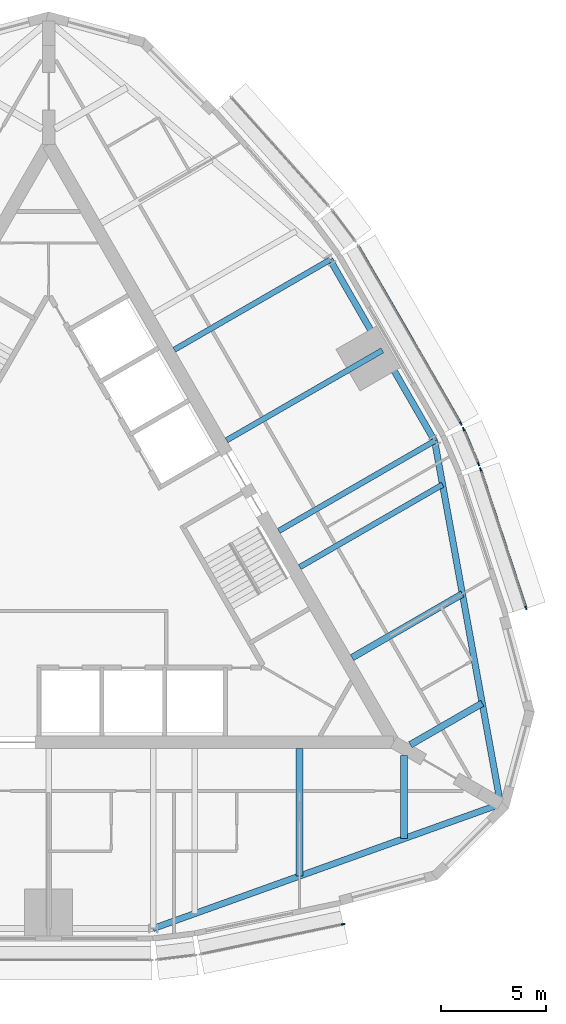
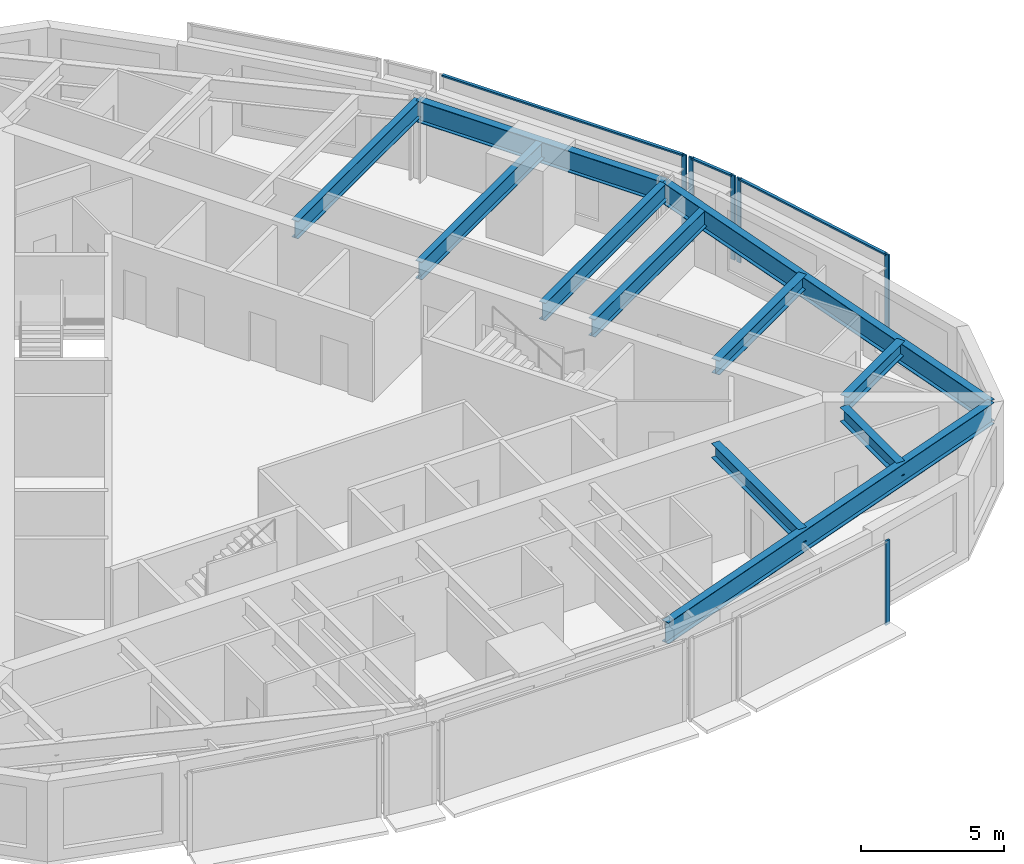
# One storey, part 4 of 12: 11 beams, 9 members, 4 elements without a shape of their own.
"""IFC4 building model written with IfcOpenShell, lengths in metres."""

from ifc_helpers import new_model, si_unit, direction, frame, origin, origin_2d, place, context, subcontext, project, spatial, rectangle, i_section, extrude, material, material_profile, profile_set, type_object, element, aggregate, save


model = new_model("IFC4")

# Units and contexts
model_context = context("Model", 3, precision=1e-05, world=origin(), true_north=direction((0.0, 1.0)))
body_context = subcontext(model_context, "Body", "Model", "MODEL_VIEW")
ifc_project = project(units=[si_unit("LENGTHUNIT", "METRE"), si_unit("AREAUNIT", "SQUARE_METRE"), si_unit("VOLUMEUNIT", "CUBIC_METRE"), si_unit("PLANEANGLEUNIT", "RADIAN"), si_unit("MASSUNIT", "GRAM", prefix="KILO")], contexts=[model_context])

# Site, building, storey
site_placement = place(None, origin())
site = spatial("IfcSite", under=ifc_project, at=site_placement, CompositionType="ELEMENT")
building_placement = place(site_placement, origin())
building = spatial("IfcBuilding", under=site, at=building_placement, Name="Trikona Tower", CompositionType="ELEMENT")
storey_placement = place(building_placement, frame((0.0, 0.0, 268.10009765625)))
storey = spatial("IfcBuildingStorey", under=building, at=storey_placement, Name="L71", CompositionType="ELEMENT", Elevation=268.10009765625)

# Curtain wall, member
ifc_material_1 = material(Name="Aluminium curtain wall system", Category="aluminium")
curtain_wall_type = type_object("IfcCurtainWallType", Name="Curtain wall DS3", PredefinedType="NOTDEFINED", material=ifc_material_1)
curtain_wall_1_placement = place(storey_placement, origin())
curtain_wall_1 = element("IfcCurtainWall", 1, at=curtain_wall_1_placement, inside=storey, type_object=curtain_wall_type, Name="Curtain wall DS3 L71", PredefinedType="NOTDEFINED")
ifc_material_2 = material(Name="Aluminium mullion, pale anodised", Category="aluminium")
ifc_material_profile_1 = material_profile(ifc_material_2, rectangle(XDim=0.070068359375, YDim=0.179931640625, at=origin_2d()), Name="MUL-DS3")
ifc_profile_set_1 = profile_set([ifc_material_profile_1], Name="Aluminium mullion, pale anodised")
member_type_1 = type_object("IfcMemberType", Name="Mullion DS3 70x180", PredefinedType="MULLION", material=ifc_profile_set_1)
member_1_placement = place(storey_placement, frame((14.092041015625, -18.220703125, 0.0), z_axis=(0.0, 0.0, 1.0), x_axis=(-0.205527448396, 0.978651351583, 0.0)))
member_1 = element("IfcMember", 2, at=member_1_placement, type_object=member_type_1, Name="CW-DS3 mullion 2", PredefinedType="MULLION", context=body_context, shape_type="SweptSolid", body=[
    extrude(rectangle(XDim=0.070068359375, YDim=0.179931640625, at=origin_2d()), origin(), (0.0, 0.0, 1.0), 3.599853515625),
])
aggregate(curtain_wall_1, [member_1])

# Curtain wall, members
curtain_wall_2_placement = place(storey_placement, origin())
curtain_wall_2 = element("IfcCurtainWall", 3, at=curtain_wall_2_placement, inside=storey, type_object=curtain_wall_type, Name="Curtain wall DS3 L71", PredefinedType="NOTDEFINED")
member_2_placement = place(storey_placement, frame((22.82568359375, -3.09375, 0.0), z_axis=(0.0, 0.0, 1.0), x_axis=(-0.95029742275, -0.311343553515, 0.0)))
member_2 = element("IfcMember", 4, at=member_2_placement, type_object=member_type_1, Name="CW-DS3 mullion 1", PredefinedType="MULLION", context=body_context, shape_type="SweptSolid", body=[
    extrude(rectangle(XDim=0.070068359375, YDim=0.179931640625, at=origin_2d()), origin(), (0.0, 0.0, 1.0), 3.599853515625),
])
member_3_placement = place(storey_placement, frame((20.657958984375, 3.52294921875, 0.0), z_axis=(0.0, 0.0, 1.0), x_axis=(-0.95029742275, -0.311343553515, 0.0)))
member_3 = element("IfcMember", 5, at=member_3_placement, type_object=member_type_1, Name="CW-DS3 mullion 2", PredefinedType="MULLION", context=body_context, shape_type="SweptSolid", body=[
    extrude(rectangle(XDim=0.070068359375, YDim=0.179931640625, at=origin_2d()), origin(), (0.0, 0.0, 1.0), 3.599853515625),
])

curtain_wall_3_placement = place(storey_placement, origin())
curtain_wall_3 = element("IfcCurtainWall", 6, at=curtain_wall_3_placement, inside=storey, type_object=curtain_wall_type, Name="Curtain wall DS3 L71", PredefinedType="NOTDEFINED")
member_4_placement = place(storey_placement, frame((20.563232421875, 3.7744140625, 0.0), z_axis=(0.0, 0.0, 1.0), x_axis=(-0.919420580163, -0.393275726143, 0.0)))
member_4 = element("IfcMember", 7, at=member_4_placement, type_object=member_type_1, Name="CW-DS3 mullion 1", PredefinedType="MULLION", context=body_context, shape_type="SweptSolid", body=[
    extrude(rectangle(XDim=0.070068359375, YDim=0.179931640625, at=origin_2d()), origin(), (0.0, 0.0, 1.0), 3.599853515625),
])
member_5_placement = place(storey_placement, frame((19.845703125, 5.45166015625, 0.0), z_axis=(0.0, 0.0, 1.0), x_axis=(-0.919420580163, -0.393275726143, 0.0)))
member_5 = element("IfcMember", 8, at=member_5_placement, type_object=member_type_1, Name="CW-DS3 mullion 2", PredefinedType="MULLION", context=body_context, shape_type="SweptSolid", body=[
    extrude(rectangle(XDim=0.070068359375, YDim=0.179931640625, at=origin_2d()), origin(), (0.0, 0.0, 1.0), 3.599853515625),
])

# Curtain wall, member
curtain_wall_4_placement = place(storey_placement, origin())
curtain_wall_4 = element("IfcCurtainWall", 9, at=curtain_wall_4_placement, inside=storey, type_object=curtain_wall_type, Name="Curtain wall DS3 L71", PredefinedType="NOTDEFINED")
member_6_placement = place(storey_placement, frame((19.712890625, 5.717529296875, 0.0), z_axis=(0.0, 0.0, 1.0), x_axis=(-0.866024619633, -0.500001358187, 0.0)))
member_6 = element("IfcMember", 10, at=member_6_placement, type_object=member_type_1, Name="CW-DS3 mullion 1", PredefinedType="MULLION", context=body_context, shape_type="SweptSolid", body=[
    extrude(rectangle(XDim=0.070068359375, YDim=0.179931640625, at=origin_2d()), origin(), (0.0, 0.0, 1.0), 3.599853515625),
])

# Beams
ifc_material_3 = material(Name="Steel ASTM A992 Grade 50", Category="steel")
ifc_material_profile_2 = material_profile(ifc_material_3, i_section(OverallWidth=0.3251953125, OverallDepth=0.612060546875, WebThickness=0.0126953125, FlangeThickness=0.01904296875, at=origin_2d()), Name="W24X104")
ifc_profile_set_2 = profile_set([ifc_material_profile_2], Name="Steel ASTM A992 Grade 50")
beam_type_1 = type_object("IfcBeamType", Name="Steel beam W24x104 (wedge upper)", PredefinedType="BEAM", material=ifc_profile_set_2)
beam_1_placement = place(storey_placement, frame((12.0, -9.826416015625, 3.12890625), z_axis=(0.0, -1.0, 0.0), x_axis=(1.0, 0.0, 0.0)))
element("IfcBeam", 11, at=beam_1_placement, inside=storey, type_object=beam_type_1, Name="Floor beam L72 F1 u12", PredefinedType="BEAM", context=body_context, shape_type="SweptSolid", body=[
    extrude(i_section(OverallWidth=0.3251953125, OverallDepth=0.612060546875, WebThickness=0.0126953125, FlangeThickness=0.01904296875, at=origin_2d()), origin(), (0.0, 0.0, 1.0), 6.094970703125),
])
for number, where, z_axis, x_axis, name in (
    (12, (17.0, -10.161376953125, 3.12890625), (0.0, -1.0, 0.0), (1.0, 0.0, 0.0), "Floor beam L72 F1 u17"),
    (13, (17.300048828125, -9.6416015625, 3.12890625), (0.866030866614, 0.499990537983, 0.0), (-0.499990537983, 0.866030866614, 0.0), "Floor beam L72 F2 u-17"),
):
    element("IfcBeam", number, at=place(storey_placement, frame(where, z_axis=z_axis, x_axis=x_axis)), inside=storey, type_object=beam_type_1, Name=name, PredefinedType="BEAM", context=body_context, shape_type="SweptSolid", body=[
        extrude(i_section(OverallWidth=0.3251953125, OverallDepth=0.612060546875, WebThickness=0.0126953125, FlangeThickness=0.01904296875, at=origin_2d()), origin(), (0.0, 0.0, 1.0), 3.9677734375),
    ])
beam_2_placement = place(storey_placement, frame((14.509765625, -5.479248046875, 3.12890625), z_axis=(0.866023498866, 0.500003299401, 0.0), x_axis=(-0.500003299401, 0.866023498866, 0.0)))
element("IfcBeam", 14, at=beam_2_placement, inside=storey, type_object=beam_type_1, Name="Floor beam L72 F2 u-12", PredefinedType="BEAM", context=body_context, shape_type="SweptSolid", body=[
    extrude(i_section(OverallWidth=0.3251953125, OverallDepth=0.612060546875, WebThickness=0.0126953125, FlangeThickness=0.01904296875, at=origin_2d()), origin(), (0.0, 0.0, 1.0), 6.09521484375),
])
ifc_material_4 = material(Name="Steel ASTM A992 Grade 50", Category="steel")
ifc_material_profile_3 = material_profile(ifc_material_4, i_section(OverallWidth=0.2666015625, OverallDepth=0.7568359375, WebThickness=0.013916015625, FlangeThickness=0.019287109375, at=origin_2d()), Name="W30X108")
ifc_profile_set_3 = profile_set([ifc_material_profile_3], Name="Steel ASTM A992 Grade 50")
beam_type_2 = type_object("IfcBeamType", Name="Steel beam W30x108 (radial upper)", PredefinedType="BEAM", material=ifc_profile_set_3)
beam_3_placement = place(storey_placement, frame((12.009765625, -1.14892578125, 3.056396484375), z_axis=(0.866034560358, 0.499984140014, 0.0), x_axis=(-0.499984140014, 0.866034560358, 0.0)))
element("IfcBeam", 15, at=beam_3_placement, inside=storey, type_object=beam_type_2, Name="Floor beam L72 F2 u-7", PredefinedType="BEAM", context=body_context, shape_type="SweptSolid", body=[
    extrude(i_section(OverallWidth=0.2666015625, OverallDepth=0.7568359375, WebThickness=0.013916015625, FlangeThickness=0.019287109375, at=origin_2d()), origin(), (0.0, 0.0, 1.0), 7.887451171875),
])
beam_4_placement = place(storey_placement, frame((11.009765625, 0.5830078125, 3.056396484375), z_axis=(0.866029182723, 0.49999345463, 0.0), x_axis=(-0.49999345463, 0.866029182723, 0.0)))
element("IfcBeam", 16, at=beam_4_placement, inside=storey, type_object=beam_type_2, Name="Floor beam L72 F2 u-5", PredefinedType="BEAM", context=body_context, shape_type="SweptSolid", body=[
    extrude(i_section(OverallWidth=0.2666015625, OverallDepth=0.7568359375, WebThickness=0.013916015625, FlangeThickness=0.019287109375, at=origin_2d()), origin(), (0.0, 0.0, 1.0), 8.60400390625),
])
beam_5_placement = place(storey_placement, frame((8.509765625, 4.9130859375, 3.056396484375), z_axis=(0.866016896067, 0.50001473551, 0.0), x_axis=(-0.50001473551, 0.866016896067, 0.0)))
element("IfcBeam", 17, at=beam_5_placement, inside=storey, type_object=beam_type_2, Name="Floor beam L72 F2 u0", PredefinedType="BEAM", context=body_context, shape_type="SweptSolid", body=[
    extrude(i_section(OverallWidth=0.2666015625, OverallDepth=0.7568359375, WebThickness=0.013916015625, FlangeThickness=0.019287109375, at=origin_2d()), origin(), (0.0, 0.0, 1.0), 8.604248046875),
])
beam_6_placement = place(storey_placement, frame((6.009765625, 9.243408203125, 3.056396484375), z_axis=(0.866029182723, 0.49999345463, 0.0), x_axis=(-0.49999345463, 0.866029182723, 0.0)))
element("IfcBeam", 18, at=beam_6_placement, inside=storey, type_object=beam_type_2, Name="Floor beam L72 F2 u5", PredefinedType="BEAM", context=body_context, shape_type="SweptSolid", body=[
    extrude(i_section(OverallWidth=0.2666015625, OverallDepth=0.7568359375, WebThickness=0.013916015625, FlangeThickness=0.019287109375, at=origin_2d()), origin(), (0.0, 0.0, 1.0), 8.60400390625),
])
ifc_material_5 = material(Name="Steel ASTM A992 Grade 50", Category="steel")
ifc_material_profile_4 = material_profile(ifc_material_5, i_section(OverallWidth=0.3046875, OverallDepth=0.911865234375, WebThickness=0.015869140625, FlangeThickness=0.02392578125, at=origin_2d()), Name="W36X150")
ifc_profile_set_4 = profile_set([ifc_material_profile_4], Name="Steel ASTM A992 Grade 50")
beam_type_3 = type_object("IfcBeamType", Name="Steel beam W36x150 (spandrel upper)", PredefinedType="SPANDREL", material=ifc_profile_set_4)
for number, where, z_axis, x_axis, name in (
    (19, (5.0, -18.430419921875, 2.97900390625), (0.941358144832, 0.337409014637, 0.0), (-0.337409014637, 0.941358144832, 0.0), "Spandrel beam L72 F1-3"),
    (20, (21.6103515625, -12.476806640625, 2.97900390625), (-0.178472662054, 0.983944870864, 0.0), (-0.983944870864, -0.178472662054, 0.0), "Spandrel beam L72 F2-1"),
):
    element("IfcBeam", number, at=place(storey_placement, frame(where, z_axis=z_axis, x_axis=x_axis)), inside=storey, type_object=beam_type_3, Name=name, PredefinedType="SPANDREL", context=body_context, shape_type="SweptSolid", body=[
        extrude(i_section(OverallWidth=0.3046875, OverallDepth=0.911865234375, WebThickness=0.015869140625, FlangeThickness=0.02392578125, at=origin_2d()), origin(), (0.0, 0.0, 1.0), 17.64501953125),
    ])
beam_7_placement = place(storey_placement, frame((18.461181640625, 4.885009765625, 2.97900390625), z_axis=(-0.499993662806, 0.866029062534, 0.0), x_axis=(-0.866029062534, -0.499993662806, 0.0)))
element("IfcBeam", 21, at=beam_7_placement, inside=storey, type_object=beam_type_3, Name="Spandrel beam L72 F2-2", PredefinedType="SPANDREL", context=body_context, shape_type="SweptSolid", body=[
    extrude(i_section(OverallWidth=0.3046875, OverallDepth=0.911865234375, WebThickness=0.015869140625, FlangeThickness=0.02392578125, at=origin_2d()), origin(), (0.0, 0.0, 1.0), 10.000244140625),
])

# Member
ifc_material_6 = material(Name="Aluminium transom, pale anodised", Category="aluminium")
ifc_material_profile_5 = material_profile(ifc_material_6, rectangle(XDim=0.1201171875, YDim=0.070068359375, at=origin_2d()), Name="TRN-DS3")
ifc_profile_set_5 = profile_set([ifc_material_profile_5], Name="Aluminium transom, pale anodised")
member_type_2 = type_object("IfcMemberType", Name="Transom DS3 70x120", PredefinedType="USERDEFINED", material=ifc_profile_set_5)
member_7_placement = place(storey_placement, frame((22.814697265625, -3.060302734375, 3.56494140625), z_axis=(-0.311346184, 0.950296560926, 0.0), x_axis=(-0.950296560926, -0.311346184, 0.0)))
member_7 = element("IfcMember", 22, at=member_7_placement, type_object=member_type_2, Name="CW-DS3 transom 1.1", ObjectType="TRANSOM", PredefinedType="USERDEFINED", context=body_context, shape_type="SweptSolid", body=[
    extrude(rectangle(XDim=0.1201171875, YDim=0.070068359375, at=origin_2d()), origin(), (0.0, 0.0, 1.0), 6.892578125),
])

aggregate(curtain_wall_2, [member_2, member_3, member_7])

member_8_placement = place(storey_placement, frame((20.549560546875, 3.806640625, 3.56494140625), z_axis=(-0.393314512783, 0.919403988481, 0.0), x_axis=(-0.919403988481, -0.393314512783, 0.0)))
member_8 = element("IfcMember", 23, at=member_8_placement, type_object=member_type_2, Name="CW-DS3 transom 1.1", ObjectType="TRANSOM", PredefinedType="USERDEFINED", context=body_context, shape_type="SweptSolid", body=[
    extrude(rectangle(XDim=0.1201171875, YDim=0.070068359375, at=origin_2d()), origin(), (0.0, 0.0, 1.0), 1.754150390625),
])

aggregate(curtain_wall_3, [member_4, member_5, member_8])

member_9_placement = place(storey_placement, frame((19.6953125, 5.747802734375, 3.56494140625), z_axis=(-0.500010305712, 0.866019453697, 0.0), x_axis=(-0.866019453697, -0.500010305712, 0.0)))
member_9 = element("IfcMember", 24, at=member_9_placement, type_object=member_type_2, Name="CW-DS3 transom 1.1", ObjectType="TRANSOM", PredefinedType="USERDEFINED", context=body_context, shape_type="SweptSolid", body=[
    extrude(rectangle(XDim=0.1201171875, YDim=0.070068359375, at=origin_2d()), origin(), (0.0, 0.0, 1.0), 9.739990234375),
])

aggregate(curtain_wall_4, [member_6, member_9])

save(model, "model.ifc")
